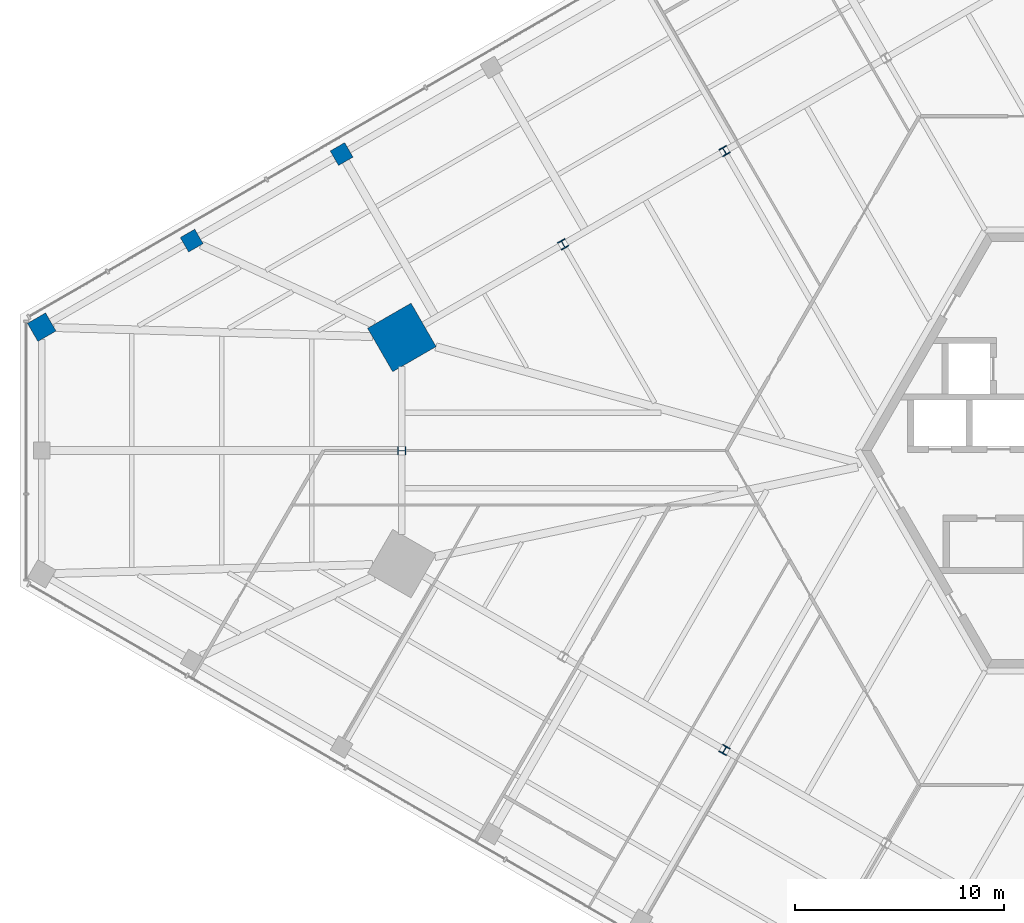
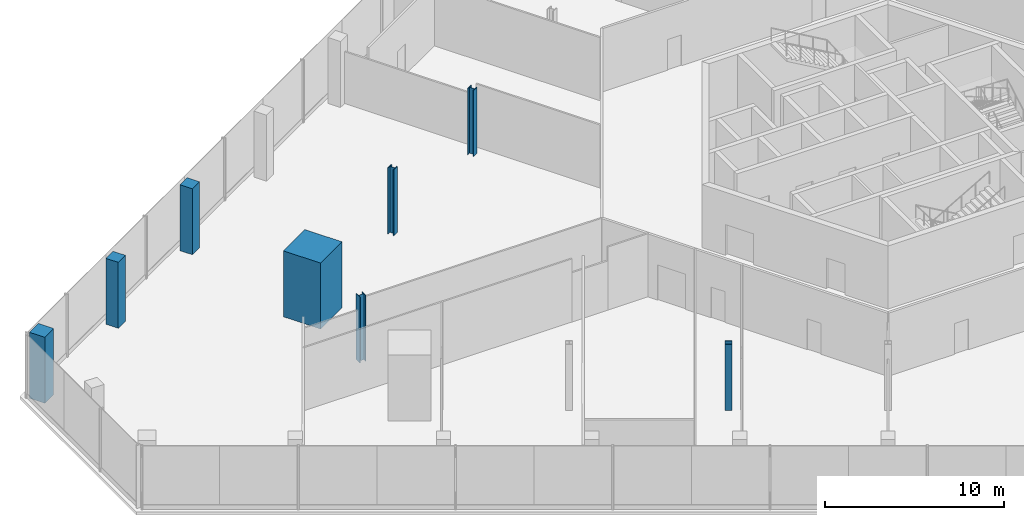
# One storey, part 2 of 25: 8 columns.
"""IFC4 building model written with IfcOpenShell, lengths in metres."""

from ifc_helpers import new_model, si_unit, direction, frame, origin, origin_2d, place, context, subcontext, project, spatial, rectangle, i_section, extrude, source, transform, mapped, material, material_profile, profile_set, type_object, element, save


model = new_model("IFC4")

# Units and contexts
model_context = context("Model", 3, precision=1e-05, world=origin(), true_north=direction((0.0, 1.0)))
body_context = subcontext(model_context, "Body", "Model", "MODEL_VIEW")
ifc_project = project(units=[si_unit("LENGTHUNIT", "METRE"), si_unit("AREAUNIT", "SQUARE_METRE"), si_unit("VOLUMEUNIT", "CUBIC_METRE"), si_unit("PLANEANGLEUNIT", "RADIAN"), si_unit("MASSUNIT", "GRAM", prefix="KILO")], contexts=[model_context])

# Site, building, storey
site_placement = place(None, origin())
site = spatial("IfcSite", under=ifc_project, at=site_placement, CompositionType="ELEMENT")
building_placement = place(site_placement, origin())
building = spatial("IfcBuilding", under=site, at=building_placement, Name="Triune Harvest Tower", CompositionType="ELEMENT")
storey_placement = place(building_placement, frame((0.0, 0.0, 11.5)))
storey = spatial("IfcBuildingStorey", under=building, at=storey_placement, Name="L02", CompositionType="ELEMENT", Elevation=11.5)

# Columns
ifc_material_1 = material(Name="Concrete 70 MPa", Category="concrete")
ifc_material_profile_1 = material_profile(ifc_material_1, rectangle(XDim=2.39990234375, YDim=2.39990234375, at=origin_2d()), Name="Composite 2400x2400")
ifc_profile_set_1 = profile_set([ifc_material_profile_1], Name="Concrete 70 MPa")
column_type_1 = type_object("IfcColumnType", Name="MC-1 Mega column Composite 2400x2400", PredefinedType="COLUMN", material=ifc_profile_set_1)
shared_shape_1 = source(origin(), body_context, "Body", "SweptSolid", [
    extrude(rectangle(XDim=2.39990234375, YDim=2.39990234375, at=origin_2d()), origin(), (0.0, 0.0, 1.0), 4.5),
])
column_1_placement = place(storey_placement, frame((-33.988525390625, 5.409912109375, 0.0), z_axis=(0.0, 0.0, 1.0), x_axis=(-0.866025403784, -0.5, 0.0)))
element("IfcColumn", 1, at=column_1_placement, inside=storey, type_object=column_type_1, Name="col/L02/M14", PredefinedType="COLUMN", context=body_context, shape_type="MappedRepresentation", body=[
    mapped(shared_shape_1, transform((0.0, 0.0, 0.0), scale=1.0)),
])
ifc_material_2 = material(Name="Steel ASTM A992 Gr 50", Category="steel")
ifc_material_profile_2 = material_profile(ifc_material_2, i_section(OverallWidth=0.40380859375, OverallDepth=0.406494140625, WebThickness=0.027099609375, FlangeThickness=0.043701171875, at=origin_2d()), Name="W14x233")
ifc_profile_set_2 = profile_set([ifc_material_profile_2], Name="Steel ASTM A992 Gr 50")
column_type_2 = type_object("IfcColumnType", Name="PC-1 Perimeter column W14x233", PredefinedType="COLUMN", material=ifc_profile_set_2)
shared_shape_2 = source(origin(), body_context, "Body", "SweptSolid", [
    extrude(i_section(OverallWidth=0.40380859375, OverallDepth=0.406494140625, WebThickness=0.027099609375, FlangeThickness=0.043701171875, at=origin_2d()), origin(), (0.0, 0.0, 1.0), 4.5),
])
for number, where, z_axis, x_axis, name in (
    (2, (-18.555908203125, 14.320068359375, 0.0), (0.0, 0.0, 1.0), (-0.866025403784, -0.5, 0.0), "col/L02/P12"),
    (3, (-26.272216796875, 9.864990234375, 0.0), (0.0, 0.0, 1.0), (-0.866025403784, -0.5, 0.0), "col/L02/P13"),
    (4, (-33.988525390625, 0.0, 0.0), (0.0, 0.0, 1.0), (0.0, -1.0, 0.0), "col/L02/P15"),
    (5, (-18.555908203125, -14.320068359375, 0.0), (0.0, 0.0, 1.0), (0.866025403784, -0.5, 0.0), "col/L02/P18"),
):
    element("IfcColumn", number, at=place(storey_placement, frame(where, z_axis=z_axis, x_axis=x_axis)), inside=storey, type_object=column_type_2, Name=name, PredefinedType="COLUMN", context=body_context, shape_type="MappedRepresentation", body=[
        mapped(shared_shape_2, transform((0.0, 0.0, 0.0), scale=1.0)),
    ])
ifc_material_3 = material(Name="Concrete 50 MPa", Category="concrete")
ifc_material_profile_3 = material_profile(ifc_material_3, rectangle(XDim=1.0, YDim=1.0, at=origin_2d()), Name="Concrete 1000x1000")
ifc_profile_set_3 = profile_set([ifc_material_profile_3], Name="Concrete 50 MPa")
column_type_3 = type_object("IfcColumnType", Name="PD-1 Podium column Concrete 1000x1000", PredefinedType="COLUMN", material=ifc_profile_set_3)
shared_shape_3 = source(origin(), body_context, "Body", "SweptSolid", [
    extrude(rectangle(XDim=1.0, YDim=1.0, at=origin_2d()), origin(), (0.0, 0.0, 1.0), 4.5),
])
column_2_placement = place(storey_placement, frame((-51.2109375, 5.89990234375, 0.0), z_axis=(0.0, 0.0, 1.0), x_axis=(-0.866025403784, -0.5, 0.0)))
element("IfcColumn", 6, at=column_2_placement, inside=storey, type_object=column_type_3, Name="col/L02/D22", PredefinedType="COLUMN", context=body_context, shape_type="MappedRepresentation", body=[
    mapped(shared_shape_3, transform((0.0, 0.0, 0.0), scale=1.0)),
])
ifc_material_4 = material(Name="Concrete 50 MPa", Category="concrete")
ifc_material_profile_4 = material_profile(ifc_material_4, rectangle(XDim=0.800048828125, YDim=0.800048828125, at=origin_2d()), Name="Concrete 800x800")
ifc_profile_set_4 = profile_set([ifc_material_profile_4], Name="Concrete 50 MPa")
column_type_4 = type_object("IfcColumnType", Name="PD-2 Podium column Concrete 800x800", PredefinedType="COLUMN", material=ifc_profile_set_4)
shared_shape_4 = source(origin(), body_context, "Body", "SweptSolid", [
    extrude(rectangle(XDim=0.800048828125, YDim=0.800048828125, at=origin_2d()), origin(), (0.0, 0.0, 1.0), 4.5),
])
for number, where, z_axis, x_axis, name in (
    (7, (-36.86962890625, 14.179931640625, 0.0), (0.0, 0.0, 1.0), (-0.866025403784, -0.5, 0.0), "col/L02/D20"),
    (8, (-44.040283203125, 10.0400390625, 0.0), (0.0, 0.0, 1.0), (-0.866025403784, -0.5, 0.0), "col/L02/D21"),
):
    element("IfcColumn", number, at=place(storey_placement, frame(where, z_axis=z_axis, x_axis=x_axis)), inside=storey, type_object=column_type_4, Name=name, PredefinedType="COLUMN", context=body_context, shape_type="MappedRepresentation", body=[
        mapped(shared_shape_4, transform((0.0, 0.0, 0.0), scale=1.0)),
    ])

save(model, "model.ifc")
